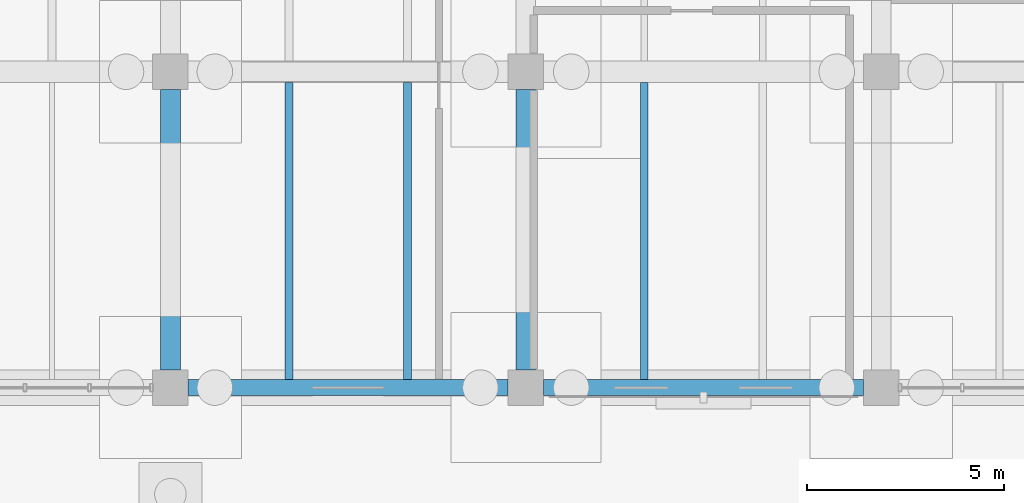
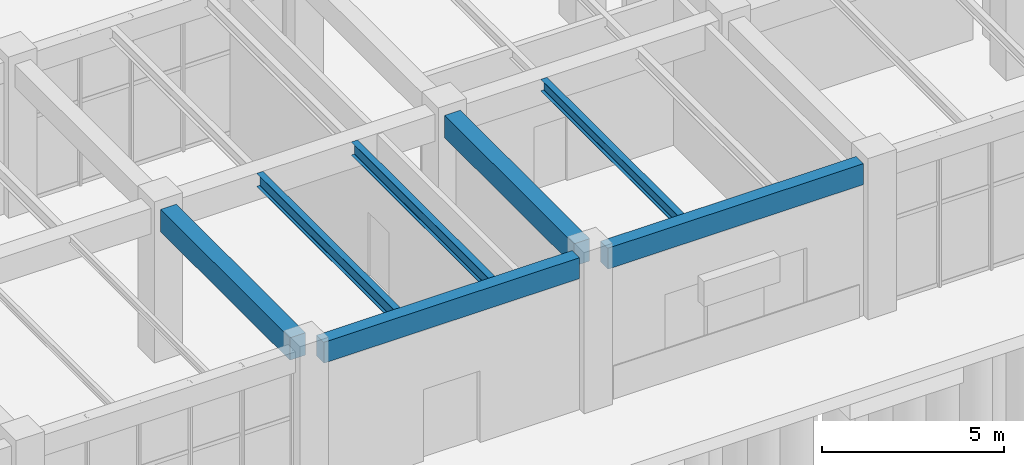
# One storey, part 55 of 121: 7 beams.
"""IFC4 building model written with IfcOpenShell, lengths in metres."""

from ifc_helpers import new_model, si_unit, derived_unit, direction, frame, origin, origin_2d, place, context, subcontext, project, spatial, rectangle, i_section, extrude, material, material_profile, profile_set, type_object, element, save


model = new_model("IFC4")

# Units and contexts
model_context = context("Model", 3, precision=1e-05, world=origin(), true_north=direction((0.0, 1.0)))
body_context = subcontext(model_context, "Body", "Model", "MODEL_VIEW")
ifc_project = project(units=[si_unit("LENGTHUNIT", "METRE"), si_unit("AREAUNIT", "SQUARE_METRE"), si_unit("VOLUMEUNIT", "CUBIC_METRE"), si_unit("PLANEANGLEUNIT", "RADIAN"), si_unit("MASSUNIT", "GRAM", prefix="KILO"), derived_unit("THERMALTRANSMITTANCEUNIT", [(si_unit("MASSUNIT", "GRAM", prefix="KILO"), 1), (si_unit("TIMEUNIT", "SECOND"), -3), (si_unit("THERMODYNAMICTEMPERATUREUNIT", "KELVIN"), -1)])], contexts=[model_context])

# Site, building, storey
site_placement = place(None, origin())
site = spatial("IfcSite", under=ifc_project, at=site_placement, CompositionType="ELEMENT")
building_placement = place(site_placement, origin())
building = spatial("IfcBuilding", under=site, at=building_placement, Name="Zhenchuan Archway Interchange", CompositionType="ELEMENT")
storey_placement = place(building_placement, origin())
storey = spatial("IfcBuildingStorey", under=building, at=storey_placement, Name="L00", CompositionType="ELEMENT", Elevation=0.0)

# Beams
ifc_material_1 = material(Name="Concrete C40", Category="concrete")
ifc_material_profile_1 = material_profile(ifc_material_1, rectangle(XDim=0.5, YDim=0.75, at=origin_2d()), Name="RC 500x750")
ifc_profile_set_1 = profile_set([ifc_material_profile_1], Name="Concrete C40")
beam_type_1 = type_object("IfcBeamType", Name="BM_RC_500x750", PredefinedType="BEAM", material=ifc_profile_set_1)
for number, where, z_axis, x_axis, name in (
    (1, (135.0, 8.449951171875, 4.705078125), (0.0, 1.0, 0.0), (-1.0, 0.0, 0.0), "Beam 16:B-C (L00)"),
    (2, (144.0, 8.449951171875, 4.705078125), (0.0, 1.0, 0.0), (-1.0, 0.0, 0.0), "Beam 17:B-C (L00)"),
):
    element("IfcBeam", number, at=place(storey_placement, frame(where, z_axis=z_axis, x_axis=x_axis)), inside=storey, type_object=beam_type_1, Name=name, PredefinedType="BEAM", context=body_context, shape_type="SweptSolid", body=[
        extrude(rectangle(XDim=0.5, YDim=0.75, at=origin_2d()), origin(), (0.0, 0.0, 1.0), 7.10009765625),
    ])
ifc_material_2 = material(Name="Steel Q355", Category="steel")
ifc_material_profile_2 = material_profile(ifc_material_2, i_section(OverallWidth=0.199951171875, OverallDepth=0.39990234375, WebThickness=0.008056640625, FlangeThickness=0.012939453125, FilletRadius=0.01611328125, at=origin_2d()), Name="HN 400x200")
ifc_profile_set_2 = profile_set([ifc_material_profile_2], Name="Steel Q355")
beam_type_2 = type_object("IfcBeamType", Name="JST_STL_HN400", PredefinedType="JOIST", material=ifc_profile_set_2)
beam_placement = place(storey_placement, frame((147.0, 8.199951171875, 4.8798828125), z_axis=(0.0, 1.0, 0.0), x_axis=(-1.0, 0.0, 0.0)))
element("IfcBeam", 3, at=beam_placement, inside=storey, type_object=beam_type_2, Name="Secondary joist 17-18/B-C #1 (L00)", PredefinedType="JOIST", context=body_context, shape_type="SweptSolid", body=[
    extrude(i_section(OverallWidth=0.199951171875, OverallDepth=0.39990234375, WebThickness=0.008056640625, FlangeThickness=0.012939453125, FilletRadius=0.01611328125, at=origin_2d()), origin(), (0.0, 0.0, 1.0), 7.525146484375),
])
ifc_material_profile_3 = material_profile(ifc_material_2, i_section(OverallWidth=0.199951171875, OverallDepth=0.449951171875, WebThickness=0.009033203125, FlangeThickness=0.013916015625, FilletRadius=0.01806640625, at=origin_2d()), Name="HN 450x200")
ifc_profile_set_3 = profile_set([ifc_material_profile_3], Name="Steel Q355")
beam_type_3 = type_object("IfcBeamType", Name="JST_STL_HN450", PredefinedType="JOIST", material=ifc_profile_set_3)
for number, where, z_axis, x_axis, name in (
    (4, (138.0, 8.199951171875, 4.85498046875), (0.0, 1.0, 0.0), (-1.0, 0.0, 0.0), "Secondary joist 16-17/B-C #1 (L00)"),
    (5, (141.0, 8.199951171875, 4.85498046875), (0.0, 1.0, 0.0), (-1.0, 0.0, 0.0), "Secondary joist 16-17/B-C #2 (L00)"),
):
    element("IfcBeam", number, at=place(storey_placement, frame(where, z_axis=z_axis, x_axis=x_axis)), inside=storey, type_object=beam_type_3, Name=name, PredefinedType="JOIST", context=body_context, shape_type="SweptSolid", body=[
        extrude(i_section(OverallWidth=0.199951171875, OverallDepth=0.449951171875, WebThickness=0.009033203125, FlangeThickness=0.013916015625, FilletRadius=0.01806640625, at=origin_2d()), origin(), (0.0, 0.0, 1.0), 7.525146484375),
    ])
ifc_material_profile_4 = material_profile(ifc_material_1, rectangle(XDim=0.39990234375, YDim=0.699951171875, at=origin_2d()), Name="RC 400x700")
ifc_profile_set_4 = profile_set([ifc_material_profile_4], Name="Concrete C40")
beam_type_4 = type_object("IfcBeamType", Name="SP_RC_400x700", PredefinedType="SPANDREL", material=ifc_profile_set_4)
for number, where, z_axis, x_axis, name in (
    (6, (135.449951171875, 8.0, 4.72998046875), (1.0, 0.0, 0.0), (0.0, 1.0, 0.0), "Beam B:16-17 (L00)"),
    (7, (144.449951171875, 8.0, 4.72998046875), (1.0, 0.0, 0.0), (0.0, 1.0, 0.0), "Beam B:17-18 (L00)"),
):
    element("IfcBeam", number, at=place(storey_placement, frame(where, z_axis=z_axis, x_axis=x_axis)), inside=storey, type_object=beam_type_4, Name=name, PredefinedType="SPANDREL", context=body_context, shape_type="SweptSolid", body=[
        extrude(rectangle(XDim=0.39990234375, YDim=0.699951171875, at=origin_2d()), origin(), (0.0, 0.0, 1.0), 8.10009765625),
    ])

save(model, "model.ifc")
